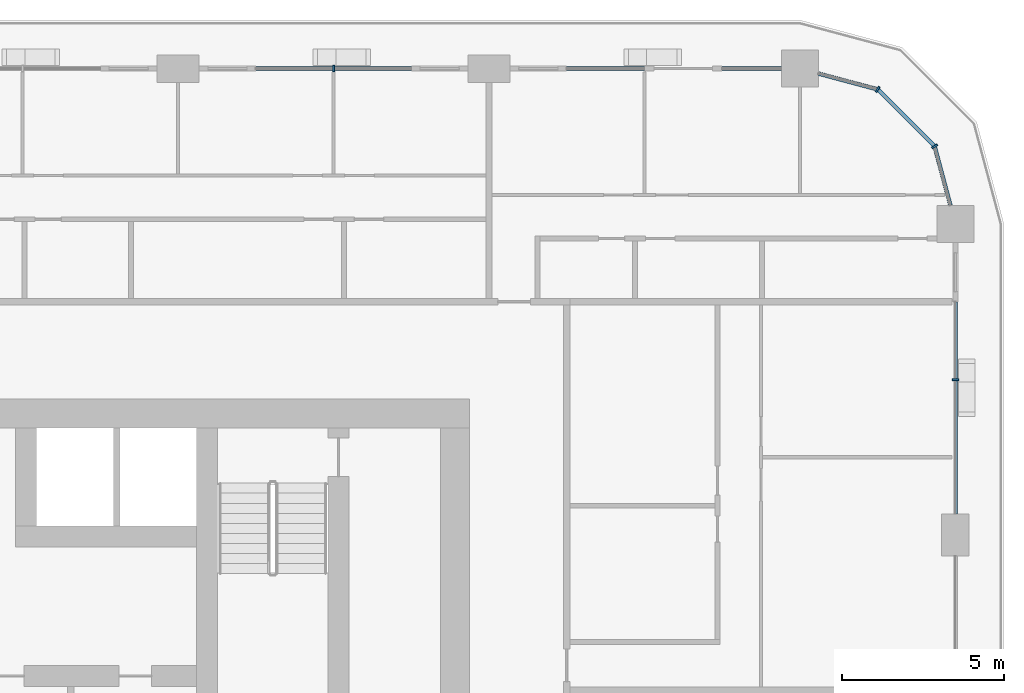
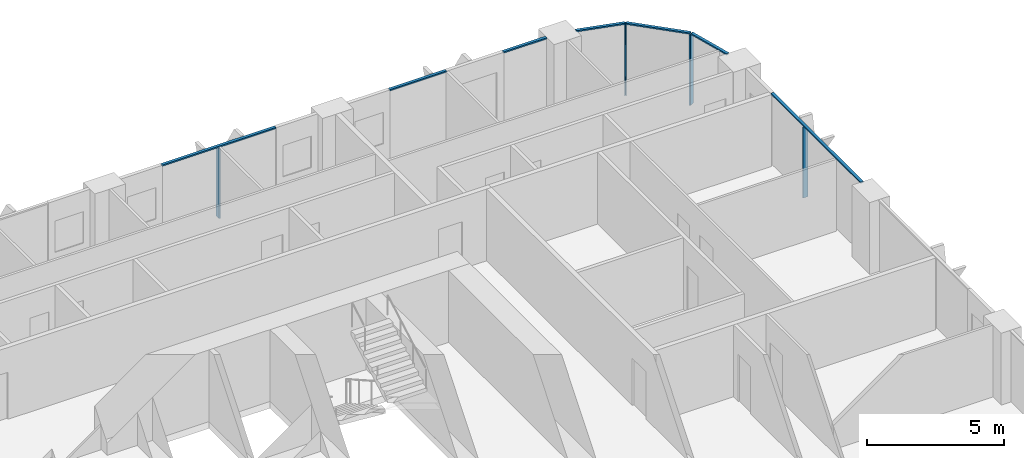
# One storey, part 6 of 22: 11 members, 4 elements without a shape of their own.
"""IFC4 building model written with IfcOpenShell, lengths in metres."""

import ifcopenshell
import ifcopenshell.guid

model = None  # the IFC model being written
_history = None  # IfcOwnerHistory: only IFC2X3 demands one
_inside = {}  # id of a spatial element -> (the spatial element, [elements in it])
_under = {}  # id of a project, library or spatial element -> (it, [spatial elements below it])
_declared = {}  # id of a project -> (the project, [libraries it declares])
_typed = {}  # id of a type object -> (the type object, [elements of that type])
_made_of = {}  # id of a material, layer set ... -> (it, [elements and type objects made of it])


def new_model(schema):
    """Start an empty IFC model of exactly this schema.

    Asked for "IFC4X3", IfcOpenShell would pick the latest addendum, in which some entities
    have other attributes; the version numbers below select the first issue.
    IFC2X3 requires an IfcOwnerHistory on every rooted entity: one is made here for all.
    """
    global model, _history
    if schema == "IFC4X3":
        model = ifcopenshell.file(schema_version=(4, 3, 0, 0))
    else:
        model = ifcopenshell.file(schema=schema)
    _inside.clear()
    _under.clear()
    _declared.clear()
    _typed.clear()
    _made_of.clear()
    _history = None
    if model.schema == "IFC2X3":
        org = make("IfcOrganization", Name="unknown")
        user = make(
            "IfcPersonAndOrganization",
            ThePerson=make("IfcPerson", FamilyName="unknown"),
            TheOrganization=org,
        )
        app = make(
            "IfcApplication",
            ApplicationDeveloper=org,
            Version="unknown",
            ApplicationFullName="unknown",
            ApplicationIdentifier="unknown",
        )
        _history = make(
            "IfcOwnerHistory",
            OwningUser=user,
            OwningApplication=app,
            ChangeAction="ADDED",
            CreationDate=0,
        )
    return model


def make(cls, **values):
    """One entity of the class cls with the attributes given. An attribute that is None is left unset."""
    return model.create_entity(
        cls, **{name: value for name, value in values.items() if value is not None}
    )


def rooted(cls, **values):
    """An entity with a GlobalId (a new one), such as an element, a storey or a relation."""
    return make(cls, GlobalId=ifcopenshell.guid.new(), OwnerHistory=_history, **values)


def si_unit(unit_type, name, prefix=None):
    """IfcSIUnit, for example si_unit("LENGTHUNIT", "METRE", prefix="MILLI")."""
    return make("IfcSIUnit", UnitType=unit_type, Prefix=prefix, Name=name)


def assignment(units):
    """IfcUnitAssignment: the units of a project."""
    return None if units is None else make("IfcUnitAssignment", Units=units)


def point(xyz):
    """IfcCartesianPoint."""
    return None if xyz is None else make("IfcCartesianPoint", Coordinates=xyz)


def direction(xyz):
    """IfcDirection."""
    return None if xyz is None else make("IfcDirection", DirectionRatios=xyz)


def frame(location, z_axis=None, x_axis=None):
    """IfcAxis2Placement3D, a coordinate frame: its origin and axes. An axis left out is left unset."""
    return make(
        "IfcAxis2Placement3D",
        Location=point(location),
        Axis=direction(z_axis),
        RefDirection=direction(x_axis),
    )


def frame_2d(location, x_axis=None):
    """IfcAxis2Placement2D, a coordinate frame in the plane: its origin and x axis."""
    return make(
        "IfcAxis2Placement2D", Location=point(location), RefDirection=direction(x_axis)
    )


def origin():
    """The frame at (0, 0, 0) with its axes left unset."""
    return frame((0.0, 0.0, 0.0))


def origin_2d():
    """The frame at (0, 0) in the plane with its x axis left unset."""
    return frame_2d((0.0, 0.0))


def place(relative_to, where):
    """IfcLocalPlacement: puts the frame where relative to a parent placement (None: the world)."""
    return make(
        "IfcLocalPlacement", PlacementRelTo=relative_to, RelativePlacement=where
    )


def context(
    kind, dimensions, precision=None, world=None, true_north=None, identifier=None
):
    """IfcGeometricRepresentationContext, for example the 3D "Model" context."""
    return make(
        "IfcGeometricRepresentationContext",
        ContextIdentifier=identifier,
        ContextType=kind,
        CoordinateSpaceDimension=dimensions,
        Precision=precision,
        WorldCoordinateSystem=world,
        TrueNorth=true_north,
    )


def subcontext(parent, identifier, kind, view, scale=None):
    """IfcGeometricRepresentationSubContext, for example "Body" below "Model"."""
    return make(
        "IfcGeometricRepresentationSubContext",
        ContextIdentifier=identifier,
        ContextType=kind,
        ParentContext=parent,
        TargetScale=scale,
        TargetView=view,
    )


def project(units=None, contexts=None):
    """IfcProject with its units and contexts."""
    return rooted(
        "IfcProject",
        Name="project",
        RepresentationContexts=contexts,
        UnitsInContext=assignment(units),
    )


def spatial(cls, under=None, at=None, **own):
    """A site, building, storey or space (cls), placed at a placement, below another one or the project."""
    s = rooted(cls, ObjectPlacement=at, **own)
    if under is not None:
        _under.setdefault(under.id(), (under, []))[1].append(s)
    return s


def profile(cls, at=None, kind="AREA", **sizes):
    """A parametric profile (cls). Its sizes go by their IFC names, for example OverallWidth=200.0."""
    return make(cls, ProfileType=kind, Position=at, **sizes)


def rectangle(**sizes):
    """IfcRectangleProfileDef."""
    return profile("IfcRectangleProfileDef", **sizes)


def extrude(swept, where, along, depth):
    """IfcExtrudedAreaSolid: the profile swept, set in the frame where, extruded along a direction by depth."""
    return make(
        "IfcExtrudedAreaSolid",
        SweptArea=swept,
        Position=where,
        ExtrudedDirection=direction(along),
        Depth=depth,
    )


def shape(context_of_items, identifier, shape_type, items):
    """IfcShapeRepresentation: the items that make up one representation, for example the "Body"."""
    return make(
        "IfcShapeRepresentation",
        ContextOfItems=context_of_items,
        RepresentationIdentifier=identifier,
        RepresentationType=shape_type,
        Items=items,
    )


def material(Name=None, Category=None):
    """IfcMaterial."""
    return make("IfcMaterial", Name=Name, Category=Category)


def layer(
    of_material, thickness, ventilated=None, Name=None, Category=None, Priority=None
):
    """IfcMaterialLayer: one layer of a wall or slab, of a material (None: an air gap)."""
    return make(
        "IfcMaterialLayer",
        Material=of_material,
        LayerThickness=thickness,
        IsVentilated=ventilated,
        Name=Name,
        Category=Category,
        Priority=Priority,
    )


def layer_set(layers, Name=None):
    """IfcMaterialLayerSet."""
    return make("IfcMaterialLayerSet", MaterialLayers=layers, LayerSetName=Name)


def material_profile(
    of_material, cross_section, Name=None, Category=None, Priority=None
):
    """IfcMaterialProfile: a cross section and its material."""
    return make(
        "IfcMaterialProfile",
        Name=Name,
        Material=of_material,
        Profile=cross_section,
        Priority=Priority,
        Category=Category,
    )


def profile_set(profiles, Name=None, composite=None):
    """IfcMaterialProfileSet."""
    return make(
        "IfcMaterialProfileSet",
        Name=Name,
        MaterialProfiles=profiles,
        CompositeProfile=composite,
    )


def made_of(thing, what):
    """Note that an element or type object is made of a material, layer set ...; save() writes the relation."""
    if what is not None:
        _made_of.setdefault(what.id(), (what, []))[1].append(thing)
    return thing


def type_object(cls, material=None, **own):
    """A type object (cls), such as IfcWallType, which elements share."""
    return made_of(rooted(cls, **own), material)


def element(
    cls,
    number,
    at=None,
    inside=None,
    cuts=None,
    type_object=None,
    material=None,
    context=None,
    identifier="Body",
    shape_type=None,
    held_by="IfcProductDefinitionShape",
    body=None,
    shapes=None,
    **own,
):
    """One element of the class cls, such as IfcWall. Its Tag is "e" and its number.

    at: its placement. inside: the storey or other place that contains it. cuts: it is an
    opening in that element (IfcRelVoidsElement). A single representation is given by context,
    identifier, shape_type and body (its items); several are given by shapes. held_by: the class
    of the entity that holds the representations. save() writes the other relations.
    """
    e = rooted(cls, Tag="e%d" % number, ObjectPlacement=at, **own)
    if body is not None:
        shapes = [shape(context, identifier, shape_type, body)]
    if shapes is not None:
        e.Representation = make(held_by, Representations=shapes)
    if inside is not None:
        _inside.setdefault(inside.id(), (inside, []))[1].append(e)
    if cuts is not None:
        rooted(
            "IfcRelVoidsElement", RelatingBuildingElement=cuts, RelatedOpeningElement=e
        )
    if type_object is not None:
        _typed.setdefault(type_object.id(), (type_object, []))[1].append(e)
    return made_of(e, material)


def aggregate(whole, parts):
    """IfcRelAggregates: a whole, such as a stair, and the parts it consists of."""
    return rooted("IfcRelAggregates", RelatingObject=whole, RelatedObjects=parts)


def save(model, path):
    """Write the relations noted so far, then the file.

    IfcRelAggregates (storeys below a building ...), IfcRelContainedInSpatialStructure (elements
    in a storey), IfcRelDefinesByType, IfcRelAssociatesMaterial and IfcRelDeclares: one each for
    every whole, place, type object, material and project.
    """
    for whole, parts in _under.values():
        aggregate(whole, parts)
    for where, things in _inside.values():
        rooted(
            "IfcRelContainedInSpatialStructure",
            RelatedElements=things,
            RelatingStructure=where,
        )
    for kind, things in _typed.values():
        rooted("IfcRelDefinesByType", RelatedObjects=things, RelatingType=kind)
    for what, things in _made_of.values():
        rooted("IfcRelAssociatesMaterial", RelatedObjects=things, RelatingMaterial=what)
    for by, libraries in _declared.values():
        rooted("IfcRelDeclares", RelatingContext=by, RelatedDefinitions=libraries)
    model.write(path)


model = new_model("IFC4")

# Units and contexts
model_context = context("Model", 3, precision=1e-05, world=origin(), true_north=direction((0.0, 1.0)))
body_context = subcontext(model_context, "Body", "Model", "MODEL_VIEW")
ifc_project = project(units=[si_unit("LENGTHUNIT", "METRE"), si_unit("AREAUNIT", "SQUARE_METRE"), si_unit("VOLUMEUNIT", "CUBIC_METRE"), si_unit("PLANEANGLEUNIT", "RADIAN"), si_unit("MASSUNIT", "GRAM", prefix="KILO")], contexts=[model_context])

# Site, building, storey
site_placement = place(None, origin())
site = spatial("IfcSite", under=ifc_project, at=site_placement, CompositionType="ELEMENT")
building_placement = place(site_placement, origin())
building = spatial("IfcBuilding", under=site, at=building_placement, Name="Madar Terraces", CompositionType="ELEMENT")
storey_placement = place(building_placement, frame((0.0, 0.0, 59.300048828125)))
storey = spatial("IfcBuildingStorey", under=building, at=storey_placement, Name="L14", CompositionType="ELEMENT", Elevation=59.300048828125)

# Curtain wall, member
ifc_material_1 = material(Name="Glass, ceramic frit dark grey, with black aluminium frame", Category="aluminium")
ifc_layer = layer(ifc_material_1, 0.199951171875)
ifc_layer_set = layer_set([ifc_layer], Name="Facade curtain wall, fritted glass")
curtain_wall_type = type_object("IfcCurtainWallType", Name="Facade curtain wall, fritted glass", PredefinedType="NOTDEFINED", material=ifc_layer_set)
curtain_wall_1_placement = place(storey_placement, origin())
curtain_wall_1 = element("IfcCurtainWall", 1, at=curtain_wall_1_placement, inside=storey, type_object=curtain_wall_type, Name="Outer skin curtain wall east bay 4", PredefinedType="NOTDEFINED")
ifc_material_2 = material(Name="Aluminium, black anodised", Category="aluminium")
ifc_material_profile_1 = material_profile(ifc_material_2, rectangle(XDim=0.199951171875, YDim=0.06005859375, at=origin_2d()), Name="Facade mullion 60x200")
ifc_profile_set_1 = profile_set([ifc_material_profile_1], Name="Aluminium, black anodised")
member_type_1 = type_object("IfcMemberType", Name="Facade mullion 60x200", PredefinedType="MULLION", material=ifc_profile_set_1)
member_1_placement = place(storey_placement, frame((62.39990234375, 38.39990234375, 0.0), z_axis=(0.0, 0.0, 1.0), x_axis=(-1.0, 0.0, 0.0)))
member_1 = element("IfcMember", 2, at=member_1_placement, type_object=member_type_1, Name="Mullion 1", PredefinedType="MULLION", context=body_context, shape_type="SweptSolid", body=[
    extrude(rectangle(XDim=0.199951171875, YDim=0.06005859375, at=origin_2d()), origin(), (0.0, 0.0, 1.0), 3.139892578125),
])

curtain_wall_2_placement = place(storey_placement, origin())
curtain_wall_2 = element("IfcCurtainWall", 3, at=curtain_wall_2_placement, inside=storey, type_object=curtain_wall_type, Name="Outer skin curtain wall north bay 2", PredefinedType="NOTDEFINED")
member_2_placement = place(storey_placement, frame((43.199951171875, 48.0, 0.0), z_axis=(0.0, 0.0, 1.0), x_axis=(0.0, -1.0, 0.0)))
member_2 = element("IfcMember", 4, at=member_2_placement, type_object=member_type_1, Name="Mullion 1", PredefinedType="MULLION", context=body_context, shape_type="SweptSolid", body=[
    extrude(rectangle(XDim=0.199951171875, YDim=0.06005859375, at=origin_2d()), origin(), (0.0, 0.0, 1.0), 3.139892578125),
])

# Curtain wall, members
curtain_wall_3_placement = place(storey_placement, origin())
curtain_wall_3 = element("IfcCurtainWall", 5, at=curtain_wall_3_placement, inside=storey, type_object=curtain_wall_type, Name="Outer skin curtain wall north-east corner", PredefinedType="NOTDEFINED")
member_3_placement = place(storey_placement, frame((61.7568359375, 45.60009765625, 0.0), z_axis=(0.0, 0.0, 1.0), x_axis=(-0.866025409797, -0.499999989586, 0.0)))
member_3 = element("IfcMember", 6, at=member_3_placement, type_object=member_type_1, Name="Mullion 1", PredefinedType="MULLION", context=body_context, shape_type="SweptSolid", body=[
    extrude(rectangle(XDim=0.199951171875, YDim=0.06005859375, at=origin_2d()), origin(), (0.0, 0.0, 1.0), 3.139892578125),
])
member_4_placement = place(storey_placement, frame((60.0, 47.35693359375, 0.0), z_axis=(0.0, 0.0, 1.0), x_axis=(-0.499999989586, -0.866025409797, 0.0)))
member_4 = element("IfcMember", 7, at=member_4_placement, type_object=member_type_1, Name="Mullion 2", PredefinedType="MULLION", context=body_context, shape_type="SweptSolid", body=[
    extrude(rectangle(XDim=0.199951171875, YDim=0.06005859375, at=origin_2d()), origin(), (0.0, 0.0, 1.0), 3.139892578125),
])

# Member
ifc_material_3 = material(Name="Aluminium, black anodised", Category="aluminium")
ifc_material_profile_2 = material_profile(ifc_material_3, rectangle(XDim=0.1201171875, YDim=0.06005859375, at=origin_2d()), Name="Facade transom 60x120")
ifc_profile_set_2 = profile_set([ifc_material_profile_2], Name="Aluminium, black anodised")
member_type_2 = type_object("IfcMemberType", Name="Facade transom 60x120", PredefinedType="USERDEFINED", material=ifc_profile_set_2)
member_5_placement = place(storey_placement, frame((62.39990234375, 34.25, 3.169921875), z_axis=(0.0, 1.0, 0.0), x_axis=(-1.0, 0.0, 0.0)))
member_5 = element("IfcMember", 8, at=member_5_placement, type_object=member_type_2, Name="Transom 1", ObjectType="TRANSOM", PredefinedType="USERDEFINED", context=body_context, shape_type="SweptSolid", body=[
    extrude(rectangle(XDim=0.1201171875, YDim=0.06005859375, at=origin_2d()), origin(), (0.0, 0.0, 1.0), 6.550048828125),
])

aggregate(curtain_wall_1, [member_1, member_5])

# Curtain wall, members
curtain_wall_4_placement = place(storey_placement, origin())
curtain_wall_4 = element("IfcCurtainWall", 9, at=curtain_wall_4_placement, inside=storey, type_object=curtain_wall_type, Name="Outer skin curtain wall north bay 1", PredefinedType="NOTDEFINED")
member_6_placement = place(storey_placement, frame((57.02490234375, 48.0, 3.169921875), z_axis=(-1.0, 0.0, 0.0), x_axis=(0.0, -1.0, 0.0)))
member_6 = element("IfcMember", 10, at=member_6_placement, type_object=member_type_2, Name="Transom 1", ObjectType="TRANSOM", PredefinedType="USERDEFINED", context=body_context, shape_type="SweptSolid", body=[
    extrude(rectangle(XDim=0.1201171875, YDim=0.06005859375, at=origin_2d()), origin(), (0.0, 0.0, 1.0), 1.824951171875),
])
member_7_placement = place(storey_placement, frame((52.800048828125, 48.0, 3.169921875), z_axis=(-1.0, 0.0, 0.0), x_axis=(0.0, -1.0, 0.0)))
member_7 = element("IfcMember", 11, at=member_7_placement, type_object=member_type_2, Name="Transom 2", ObjectType="TRANSOM", PredefinedType="USERDEFINED", context=body_context, shape_type="SweptSolid", body=[
    extrude(rectangle(XDim=0.1201171875, YDim=0.06005859375, at=origin_2d()), origin(), (0.0, 0.0, 1.0), 2.400146484375),
])
aggregate(curtain_wall_4, [member_6, member_7])

# Member
member_8_placement = place(storey_placement, frame((45.60009765625, 48.0, 3.169921875), z_axis=(-1.0, 0.0, 0.0), x_axis=(0.0, -1.0, 0.0)))
member_8 = element("IfcMember", 12, at=member_8_placement, type_object=member_type_2, Name="Transom 1", ObjectType="TRANSOM", PredefinedType="USERDEFINED", context=body_context, shape_type="SweptSolid", body=[
    extrude(rectangle(XDim=0.1201171875, YDim=0.06005859375, at=origin_2d()), origin(), (0.0, 0.0, 1.0), 4.800048828125),
])

aggregate(curtain_wall_2, [member_2, member_8])

member_9_placement = place(storey_placement, frame((62.245849609375, 43.77490234375, 3.169921875), z_axis=(-0.258782024434, 0.965935745187, 0.0), x_axis=(-0.965935745187, -0.258782024434, 0.0)))
member_9 = element("IfcMember", 13, at=member_9_placement, type_object=member_type_2, Name="Transom 1", ObjectType="TRANSOM", PredefinedType="USERDEFINED", context=body_context, shape_type="SweptSolid", body=[
    extrude(rectangle(XDim=0.1201171875, YDim=0.06005859375, at=origin_2d()), origin(), (0.0, 0.0, 1.0), 1.859375),
])

member_10_placement = place(storey_placement, frame((61.735595703125, 45.62109375, 3.169921875), z_axis=(-0.707056433593, 0.707157125196, 0.0), x_axis=(-0.707157125196, -0.707056433593, 0.0)))
member_10 = element("IfcMember", 14, at=member_10_placement, type_object=member_type_2, Name="Transom 2", ObjectType="TRANSOM", PredefinedType="USERDEFINED", context=body_context, shape_type="SweptSolid", body=[
    extrude(rectangle(XDim=0.1201171875, YDim=0.06005859375, at=origin_2d()), origin(), (0.0, 0.0, 1.0), 2.424560546875),
])

member_11_placement = place(storey_placement, frame((59.970947265625, 47.36474609375, 3.169921875), z_axis=(-0.965926950947, 0.258814847786, 0.0), x_axis=(-0.258814847786, -0.965926950947, 0.0)))
member_11 = element("IfcMember", 15, at=member_11_placement, type_object=member_type_2, Name="Transom 3", ObjectType="TRANSOM", PredefinedType="USERDEFINED", context=body_context, shape_type="SweptSolid", body=[
    extrude(rectangle(XDim=0.1201171875, YDim=0.06005859375, at=origin_2d()), origin(), (0.0, 0.0, 1.0), 1.859130859375),
])

aggregate(curtain_wall_3, [member_3, member_9, member_4, member_10, member_11])

save(model, "model.ifc")
